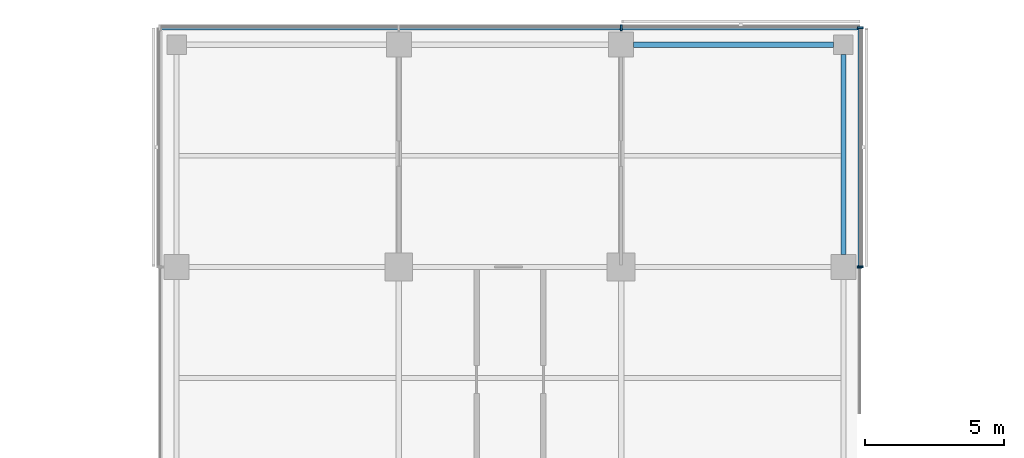
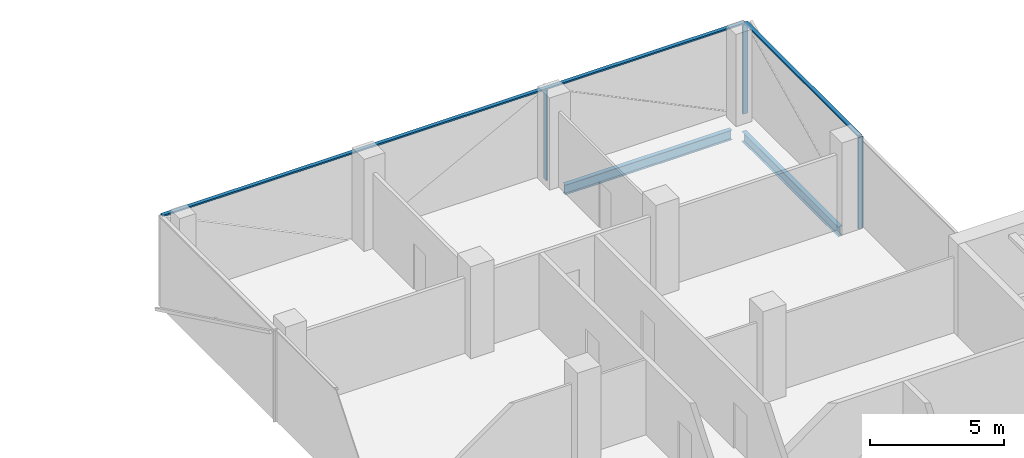
# One storey, part 10 of 22: 6 members, 2 beams, 3 elements without a shape of their own.
"""IFC4 building model written with IfcOpenShell, lengths in metres."""

from ifc_helpers import new_model, si_unit, direction, frame, origin, origin_2d, place, context, subcontext, project, spatial, rectangle, i_section, extrude, material, material_profile, profile_set, type_object, element, aggregate, save


model = new_model("IFC4")

# Units and contexts
model_context = context("Model", 3, precision=1e-05, world=origin(), true_north=direction((0.0, 1.0)))
body_context = subcontext(model_context, "Body", "Model", "MODEL_VIEW")
ifc_project = project(units=[si_unit("LENGTHUNIT", "METRE"), si_unit("AREAUNIT", "SQUARE_METRE"), si_unit("VOLUMEUNIT", "CUBIC_METRE"), si_unit("PLANEANGLEUNIT", "RADIAN"), si_unit("MASSUNIT", "GRAM", prefix="KILO")], contexts=[model_context])

# Site, building, storey
site_placement = place(None, origin())
site = spatial("IfcSite", under=ifc_project, at=site_placement, CompositionType="ELEMENT")
building_placement = place(site_placement, origin())
building = spatial("IfcBuilding", under=site, at=building_placement, Name="Crosswind Convention Tower", CompositionType="ELEMENT")
storey_placement = place(building_placement, frame((0.0, 0.0, 133.699951171875)))
storey = spatial("IfcBuildingStorey", under=building, at=storey_placement, Name="L27", CompositionType="ELEMENT", Elevation=133.699951171875)

# Beams
ifc_material_1 = material(Name="Steel S355", Category="steel")
ifc_material_profile_1 = material_profile(ifc_material_1, i_section(OverallWidth=0.18994140625, OverallDepth=0.45361328125, WebThickness=0.008544921875, FlangeThickness=0.0126953125, FilletRadius=0.01025390625, at=origin_2d()), Name="UB 457x191x67")
ifc_profile_set_1 = profile_set([ifc_material_profile_1], Name="Steel S355")
beam_type = type_object("IfcBeamType", Name="Edge beam UB 457x191x67", PredefinedType="SPANDREL", material=ifc_profile_set_1)
for number, where, z_axis, x_axis, name in (
    (1, (129.449951171875, 128.0, -0.52685546875), (1.0, 0.0, 0.0), (0.0, 1.0, 0.0), "B16 L27 edge beam 15"),
    (2, (137.0, 120.449951171875, -0.52685546875), (0.0, 1.0, 0.0), (-1.0, 0.0, 0.0), "B16 L27 edge beam 19"),
):
    element("IfcBeam", number, at=place(storey_placement, frame(where, z_axis=z_axis, x_axis=x_axis)), inside=storey, type_object=beam_type, Name=name, PredefinedType="SPANDREL", context=body_context, shape_type="SweptSolid", body=[
        extrude(i_section(OverallWidth=0.18994140625, OverallDepth=0.45361328125, WebThickness=0.008544921875, FlangeThickness=0.0126953125, FilletRadius=0.01025390625, at=origin_2d()), origin(), (0.0, 0.0, 1.0), 7.199951171875),
    ])

# Curtain wall, member
ifc_material_2 = material(Name="Aluminium unitised curtain wall", Category="aluminium")
curtain_wall_type_1 = type_object("IfcCurtainWallType", Name="CORE END SLOT WALL 160", PredefinedType="USERDEFINED", material=ifc_material_2)
curtain_wall_1_placement = place(storey_placement, origin())
curtain_wall_1 = element("IfcCurtainWall", 3, at=curtain_wall_1_placement, inside=storey, type_object=curtain_wall_type_1, Name="CW6 L27 N-E.1-1 slot", ObjectType="UNITISED", PredefinedType="USERDEFINED")
ifc_material_3 = material(Name="Aluminium mullion", Category="aluminium")
ifc_material_profile_2 = material_profile(ifc_material_3, rectangle(XDim=0.159912109375, YDim=0.050048828125, at=origin_2d()), Name="AL 160X50")
ifc_profile_set_2 = profile_set([ifc_material_profile_2], Name="Aluminium mullion")
member_type_1 = type_object("IfcMemberType", Name="MULLION 50X160", PredefinedType="MULLION", material=ifc_profile_set_2)
member_1_placement = place(storey_placement, frame((137.580078125, 119.97509765625, -0.300048828125), z_axis=(0.0, 0.0, 1.0), x_axis=(1.0, 0.0, 0.0)))
member_1 = element("IfcMember", 4, at=member_1_placement, type_object=member_type_1, Name="CW6 mullion 2", PredefinedType="MULLION", context=body_context, shape_type="SweptSolid", body=[
    extrude(rectangle(XDim=0.159912109375, YDim=0.050048828125, at=origin_2d()), origin(), (0.0, 0.0, 1.0), 4.150146484375),
])
aggregate(curtain_wall_1, [member_1])

# Curtain wall, members
curtain_wall_type_2 = type_object("IfcCurtainWallType", Name="OFFICE UNITISED WALL 220", PredefinedType="USERDEFINED", material=ifc_material_2)
curtain_wall_2_placement = place(storey_placement, origin())
curtain_wall_2 = element("IfcCurtainWall", 5, at=curtain_wall_2_placement, inside=storey, type_object=curtain_wall_type_2, Name="CW3 L27 N-E 1", ObjectType="UNITISED", PredefinedType="USERDEFINED")
ifc_material_profile_3 = material_profile(ifc_material_3, rectangle(XDim=0.219970703125, YDim=0.070068359375, at=origin_2d()), Name="AL 220X70")
ifc_profile_set_3 = profile_set([ifc_material_profile_3], Name="Aluminium mullion")
member_type_2 = type_object("IfcMemberType", Name="MULLION 70X220", PredefinedType="MULLION", material=ifc_profile_set_3)
member_2_placement = place(storey_placement, frame((137.610107421875, 120.0, -0.300048828125), z_axis=(0.0, 0.0, 1.0), x_axis=(1.0, 0.0, 0.0)))
member_2 = element("IfcMember", 6, at=member_2_placement, type_object=member_type_2, Name="CW3 mullion 1", PredefinedType="MULLION", context=body_context, shape_type="SweptSolid", body=[
    extrude(rectangle(XDim=0.219970703125, YDim=0.070068359375, at=origin_2d()), origin(), (0.0, 0.0, 1.0), 4.130126953125),
])
member_3_placement = place(storey_placement, frame((137.610107421875, 128.610107421875, -0.300048828125), z_axis=(0.0, 0.0, 1.0), x_axis=(1.0, 0.0, 0.0)))
member_3 = element("IfcMember", 7, at=member_3_placement, type_object=member_type_2, Name="CW3 mullion 2", PredefinedType="MULLION", context=body_context, shape_type="SweptSolid", body=[
    extrude(rectangle(XDim=0.219970703125, YDim=0.070068359375, at=origin_2d()), origin(), (0.0, 0.0, 1.0), 4.130126953125),
])

# Curtain wall, member
curtain_wall_3_placement = place(storey_placement, origin())
curtain_wall_3 = element("IfcCurtainWall", 8, at=curtain_wall_3_placement, inside=storey, type_object=curtain_wall_type_2, Name="CW3 L27 N-TIP 1", ObjectType="UNITISED", PredefinedType="USERDEFINED")
member_4_placement = place(storey_placement, frame((129.0, 128.610107421875, -0.300048828125), z_axis=(0.0, 0.0, 1.0), x_axis=(0.0, 1.0, 0.0)))
member_4 = element("IfcMember", 9, at=member_4_placement, type_object=member_type_2, Name="CW3 mullion 2", PredefinedType="MULLION", context=body_context, shape_type="SweptSolid", body=[
    extrude(rectangle(XDim=0.219970703125, YDim=0.070068359375, at=origin_2d()), origin(), (0.0, 0.0, 1.0), 4.130126953125),
])

# Member
ifc_material_4 = material(Name="Aluminium transom", Category="aluminium")
ifc_material_profile_4 = material_profile(ifc_material_4, rectangle(XDim=0.159912109375, YDim=0.070068359375, at=origin_2d()), Name="AL 160X70")
ifc_profile_set_4 = profile_set([ifc_material_profile_4], Name="Aluminium transom")
member_type_3 = type_object("IfcMemberType", Name="TRANSOM 70X160", PredefinedType="USERDEFINED", material=ifc_profile_set_4)
member_5_placement = place(storey_placement, frame((137.610107421875, 120.034912109375, 3.864990234375), z_axis=(0.0, 1.0, 0.0), x_axis=(-1.0, 0.0, 0.0)))
member_5 = element("IfcMember", 10, at=member_5_placement, type_object=member_type_3, Name="CW3 transom", ObjectType="TRANSOM", PredefinedType="USERDEFINED", context=body_context, shape_type="SweptSolid", body=[
    extrude(rectangle(XDim=0.159912109375, YDim=0.070068359375, at=origin_2d()), origin(), (0.0, 0.0, 1.0), 8.5400390625),
])

aggregate(curtain_wall_2, [member_2, member_3, member_5])

member_6_placement = place(storey_placement, frame((137.574951171875, 128.610107421875, 3.864990234375), z_axis=(-1.0, 0.0, 0.0), x_axis=(0.0, -1.0, 0.0)))
member_6 = element("IfcMember", 11, at=member_6_placement, type_object=member_type_3, Name="CW3 transom", ObjectType="TRANSOM", PredefinedType="USERDEFINED", context=body_context, shape_type="SweptSolid", body=[
    extrude(rectangle(XDim=0.159912109375, YDim=0.070068359375, at=origin_2d()), origin(), (0.0, 0.0, 1.0), 25.14990234375),
])

aggregate(curtain_wall_3, [member_4, member_6])

save(model, "model.ifc")
